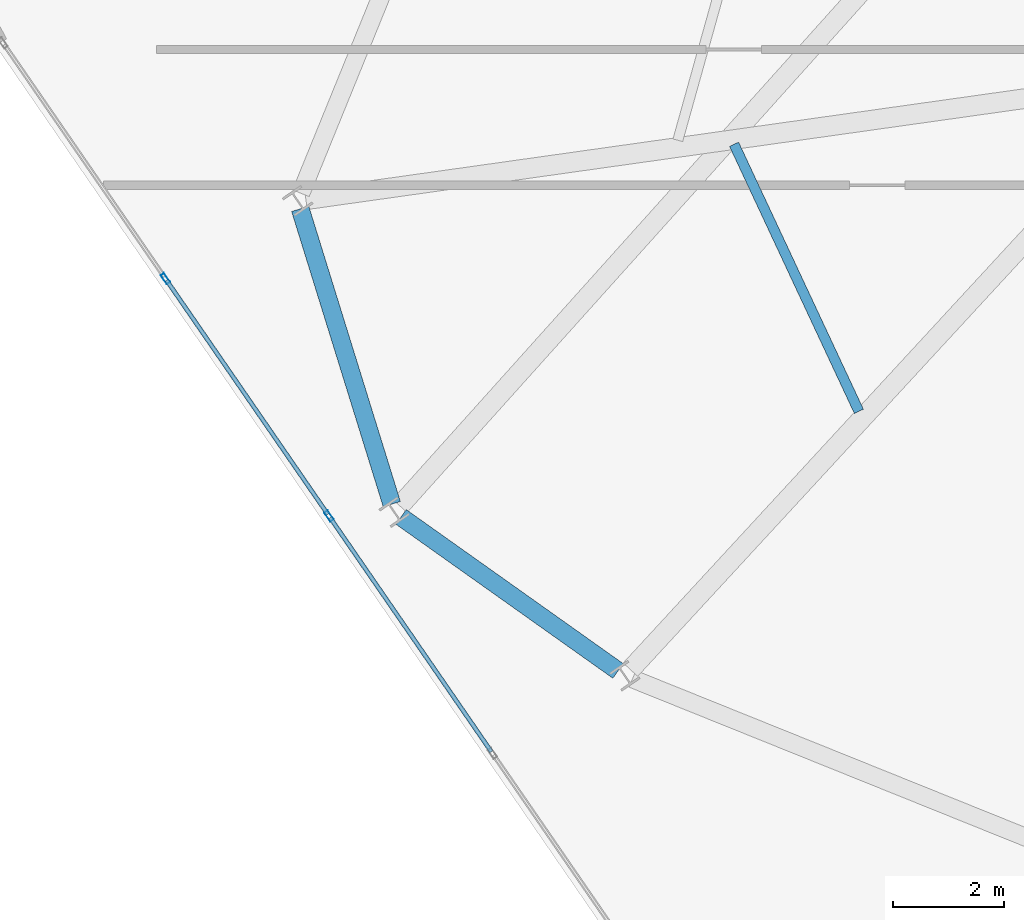
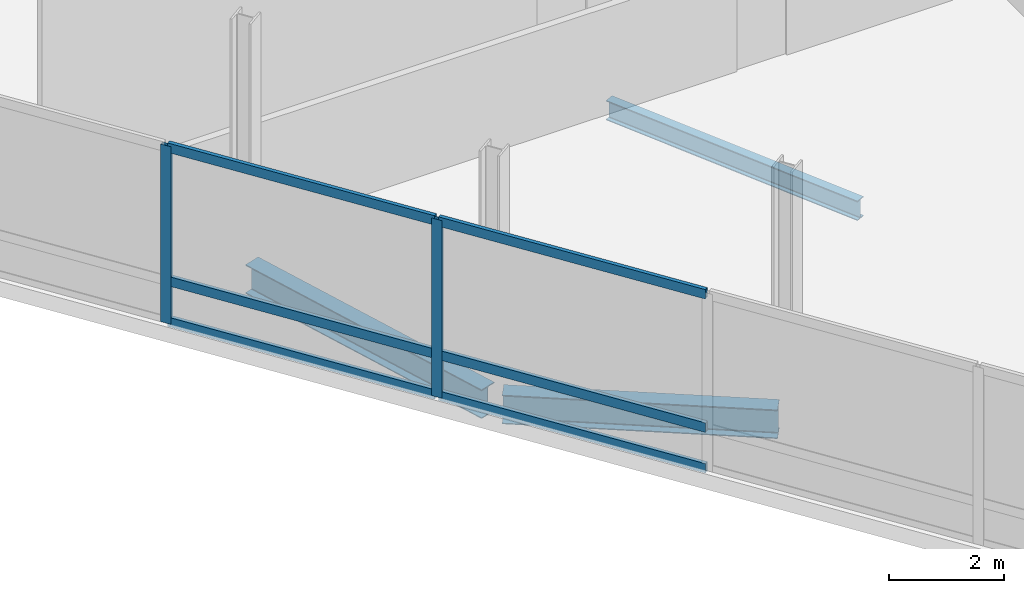
# One storey, part 5 of 15: 8 members, 3 beams, 1 element without a shape of its own.
"""IFC4 building model written with IfcOpenShell, lengths in metres."""

from ifc_helpers import new_model, si_unit, direction, frame, origin, origin_2d, place, context, subcontext, project, spatial, hollow_rectangle, i_section, extrude, material, layer, layer_set, material_profile, profile_set, type_object, element, aggregate, save


model = new_model("IFC4")

# Units and contexts
model_context = context("Model", 3, precision=1e-05, world=origin(), true_north=direction((0.0, 1.0)))
body_context = subcontext(model_context, "Body", "Model", "MODEL_VIEW")
ifc_project = project(units=[si_unit("LENGTHUNIT", "METRE"), si_unit("AREAUNIT", "SQUARE_METRE"), si_unit("VOLUMEUNIT", "CUBIC_METRE"), si_unit("PLANEANGLEUNIT", "RADIAN"), si_unit("MASSUNIT", "GRAM", prefix="KILO")], contexts=[model_context])

# Site, building, storey
site_placement = place(None, origin())
site = spatial("IfcSite", under=ifc_project, at=site_placement, CompositionType="ELEMENT")
building_placement = place(site_placement, origin())
building = spatial("IfcBuilding", under=site, at=building_placement, Name="Varnelok Gate Tower", CompositionType="ELEMENT")
storey_placement = place(building_placement, frame((0.0, 0.0, 291.5)))
storey = spatial("IfcBuildingStorey", under=building, at=storey_placement, Name="L75", CompositionType="ELEMENT", Elevation=291.5)

# Beams
ifc_material_1 = material(Name="Structural Steel ASTM A992 Grade 50", Category="steel")
ifc_material_profile_1 = material_profile(ifc_material_1, i_section(OverallWidth=0.180908203125, OverallDepth=0.4169921875, WebThickness=0.010986328125, FlangeThickness=0.018310546875, FilletRadius=0.013916015625, at=origin_2d()), Name="W16X57")
ifc_profile_set_1 = profile_set([ifc_material_profile_1], Name="Structural Steel ASTM A992 Grade 50")
beam_type_1 = type_object("IfcBeamType", Name="BM-JST-W16X57", PredefinedType="JOIST", material=ifc_profile_set_1)
beam_1_placement = place(storey_placement, frame((16.413330078125, 17.59033203125, -0.528564453125), z_axis=(0.423440846808, -0.905923754658, 0.0), x_axis=(0.905923754658, 0.423440846808, 0.0)))
element("IfcBeam", 1, at=beam_1_placement, inside=storey, type_object=beam_type_1, Name="L75 Sector Floor Joist 14", PredefinedType="JOIST", context=body_context, shape_type="SweptSolid", body=[
    extrude(i_section(OverallWidth=0.180908203125, OverallDepth=0.4169921875, WebThickness=0.010986328125, FlangeThickness=0.018310546875, FilletRadius=0.013916015625, at=origin_2d()), origin(), (0.0, 0.0, 1.0), 5.317626953125),
])
ifc_material_profile_2 = material_profile(ifc_material_1, i_section(OverallWidth=0.323974609375, OverallDepth=0.611083984375, WebThickness=0.0126953125, FlangeThickness=0.01904296875, FilletRadius=0.01806640625, at=origin_2d()), Name="W24X104")
ifc_profile_set_2 = profile_set([ifc_material_profile_2], Name="Structural Steel ASTM A992 Grade 50")
beam_type_2 = type_object("IfcBeamType", Name="BM-SPN-W24X104", PredefinedType="SPANDREL", material=ifc_profile_set_2)
beam_2_placement = place(storey_placement, frame((8.587646484375, 16.42529296875, -0.62548828125), z_axis=(0.296300068239, -0.955094900814, 0.0), x_axis=(0.955094900814, 0.296300068239, 0.0)))
element("IfcBeam", 2, at=beam_2_placement, inside=storey, type_object=beam_type_2, Name="L75 Perimeter Spandrel Beam 14", PredefinedType="SPANDREL", context=body_context, shape_type="SweptSolid", body=[
    extrude(i_section(OverallWidth=0.323974609375, OverallDepth=0.611083984375, WebThickness=0.0126953125, FlangeThickness=0.01904296875, FilletRadius=0.01806640625, at=origin_2d()), origin(), (0.0, 0.0, 1.0), 5.57666015625),
])
beam_3_placement = place(storey_placement, frame((10.40673828125, 10.868896484375, -0.62548828125), z_axis=(0.815431243688, -0.57885394256, 0.0), x_axis=(0.57885394256, 0.815431243688, 0.0)))
element("IfcBeam", 3, at=beam_3_placement, inside=storey, type_object=beam_type_2, Name="L75 Perimeter Spandrel Beam 15", PredefinedType="SPANDREL", context=body_context, shape_type="SweptSolid", body=[
    extrude(i_section(OverallWidth=0.323974609375, OverallDepth=0.611083984375, WebThickness=0.0126953125, FlangeThickness=0.01904296875, FilletRadius=0.01806640625, at=origin_2d()), origin(), (0.0, 0.0, 1.0), 4.7998046875),
])

# Curtain wall, members
ifc_material_2 = material(Name="Anodized Aluminum Alloy 6063-T6", Category="aluminium")
ifc_layer = layer(ifc_material_2, 0.179931640625)
ifc_layer_set = layer_set([ifc_layer], Name="Anodized Aluminum Alloy 6063-T6")
curtain_wall_type = type_object("IfcCurtainWallType", Name="CW6-CROWN-LOOKOUT", PredefinedType="USERDEFINED", material=ifc_layer_set)
curtain_wall_placement = place(storey_placement, origin())
curtain_wall = element("IfcCurtainWall", 4, at=curtain_wall_placement, inside=storey, type_object=curtain_wall_type, Name="L75 West End Vision Curtain Wall", ObjectType="STRUCTURAL GLAZING", PredefinedType="USERDEFINED")
ifc_material_profile_3 = material_profile(ifc_material_2, hollow_rectangle(XDim=0.074951171875, YDim=0.199951171875, WallThickness=0.00390625, at=origin_2d()), Name="ALU200X75X4")
ifc_profile_set_3 = profile_set([ifc_material_profile_3], Name="Anodized Aluminum Alloy 6063-T6")
member_type_1 = type_object("IfcMemberType", Name="CW-MULL-200", PredefinedType="MULLION", material=ifc_profile_set_3)
member_1_placement = place(storey_placement, frame((9.106689453125, 10.88525390625, 0.0), z_axis=(0.0, 0.0, 1.0), x_axis=(-0.823532290241, -0.567269395376, 0.0)))
member_1 = element("IfcMember", 5, at=member_1_placement, type_object=member_type_1, Name="CW6 mullion 5", PredefinedType="MULLION", context=body_context, shape_type="SweptSolid", body=[
    extrude(hollow_rectangle(XDim=0.074951171875, YDim=0.199951171875, WallThickness=0.00390625, at=origin_2d()), origin(), (0.0, 0.0, 1.0), 3.760009765625),
])
member_2_placement = place(storey_placement, frame((6.15673828125, 15.16748046875, 0.0), z_axis=(0.0, 0.0, 1.0), x_axis=(-0.823532290241, -0.567269395376, 0.0)))
member_2 = element("IfcMember", 6, at=member_2_placement, type_object=member_type_1, Name="CW6 mullion 6", PredefinedType="MULLION", context=body_context, shape_type="SweptSolid", body=[
    extrude(hollow_rectangle(XDim=0.074951171875, YDim=0.199951171875, WallThickness=0.00390625, at=origin_2d()), origin(), (0.0, 0.0, 1.0), 3.760009765625),
])
ifc_material_profile_4 = material_profile(ifc_material_2, hollow_rectangle(XDim=0.074951171875, YDim=0.199951171875, WallThickness=0.00390625, at=origin_2d()), Name="ALU200X75X4")
ifc_profile_set_4 = profile_set([ifc_material_profile_4], Name="Anodized Aluminum Alloy 6063-T6")
member_type_2 = type_object("IfcMemberType", Name="CW-TRAN-200", PredefinedType="USERDEFINED", material=ifc_profile_set_4)
member_3_placement = place(storey_placement, frame((12.03515625, 6.6337890625, 0.03759765625), z_axis=(-0.567278672654, 0.823525899746, 0.0), x_axis=(-0.823525899746, -0.567278672654, 0.0)))
member_3 = element("IfcMember", 7, at=member_3_placement, type_object=member_type_2, Name="CW6 transom 4.1", ObjectType="TRANSOM", PredefinedType="USERDEFINED", context=body_context, shape_type="SweptSolid", body=[
    extrude(hollow_rectangle(XDim=0.074951171875, YDim=0.199951171875, WallThickness=0.00390625, at=origin_2d()), origin(), (0.0, 0.0, 1.0), 5.124755859375),
])
member_4_placement = place(storey_placement, frame((12.03515625, 6.6337890625, 0.89990234375), z_axis=(-0.567278672654, 0.823525899746, 0.0), x_axis=(-0.823525899746, -0.567278672654, 0.0)))
member_4 = element("IfcMember", 8, at=member_4_placement, type_object=member_type_2, Name="CW6 transom 4.2", ObjectType="TRANSOM", PredefinedType="USERDEFINED", context=body_context, shape_type="SweptSolid", body=[
    extrude(hollow_rectangle(XDim=0.074951171875, YDim=0.199951171875, WallThickness=0.00390625, at=origin_2d()), origin(), (0.0, 0.0, 1.0), 5.124755859375),
])
member_5_placement = place(storey_placement, frame((12.03515625, 6.6337890625, 3.722412109375), z_axis=(-0.567278672654, 0.823525899746, 0.0), x_axis=(-0.823525899746, -0.567278672654, 0.0)))
member_5 = element("IfcMember", 9, at=member_5_placement, type_object=member_type_2, Name="CW6 transom 4.3", ObjectType="TRANSOM", PredefinedType="USERDEFINED", context=body_context, shape_type="SweptSolid", body=[
    extrude(hollow_rectangle(XDim=0.074951171875, YDim=0.199951171875, WallThickness=0.00390625, at=origin_2d()), origin(), (0.0, 0.0, 1.0), 5.124755859375),
])
member_6_placement = place(storey_placement, frame((9.08544921875, 10.916015625, 0.03759765625), z_axis=(-0.567288724908, 0.823518975247, 0.0), x_axis=(-0.823518975247, -0.567288724908, 0.0)))
member_6 = element("IfcMember", 10, at=member_6_placement, type_object=member_type_2, Name="CW6 transom 5.1", ObjectType="TRANSOM", PredefinedType="USERDEFINED", context=body_context, shape_type="SweptSolid", body=[
    extrude(hollow_rectangle(XDim=0.074951171875, YDim=0.199951171875, WallThickness=0.00390625, at=origin_2d()), origin(), (0.0, 0.0, 1.0), 5.125244140625),
])
member_7_placement = place(storey_placement, frame((9.08544921875, 10.916015625, 0.89990234375), z_axis=(-0.567288724908, 0.823518975247, 0.0), x_axis=(-0.823518975247, -0.567288724908, 0.0)))
member_7 = element("IfcMember", 11, at=member_7_placement, type_object=member_type_2, Name="CW6 transom 5.2", ObjectType="TRANSOM", PredefinedType="USERDEFINED", context=body_context, shape_type="SweptSolid", body=[
    extrude(hollow_rectangle(XDim=0.074951171875, YDim=0.199951171875, WallThickness=0.00390625, at=origin_2d()), origin(), (0.0, 0.0, 1.0), 5.125244140625),
])
member_8_placement = place(storey_placement, frame((9.08544921875, 10.916015625, 3.722412109375), z_axis=(-0.567288724908, 0.823518975247, 0.0), x_axis=(-0.823518975247, -0.567288724908, 0.0)))
member_8 = element("IfcMember", 12, at=member_8_placement, type_object=member_type_2, Name="CW6 transom 5.3", ObjectType="TRANSOM", PredefinedType="USERDEFINED", context=body_context, shape_type="SweptSolid", body=[
    extrude(hollow_rectangle(XDim=0.074951171875, YDim=0.199951171875, WallThickness=0.00390625, at=origin_2d()), origin(), (0.0, 0.0, 1.0), 5.125244140625),
])
aggregate(curtain_wall, [member_1, member_2, member_3, member_4, member_5, member_6, member_7, member_8])

save(model, "model.ifc")
